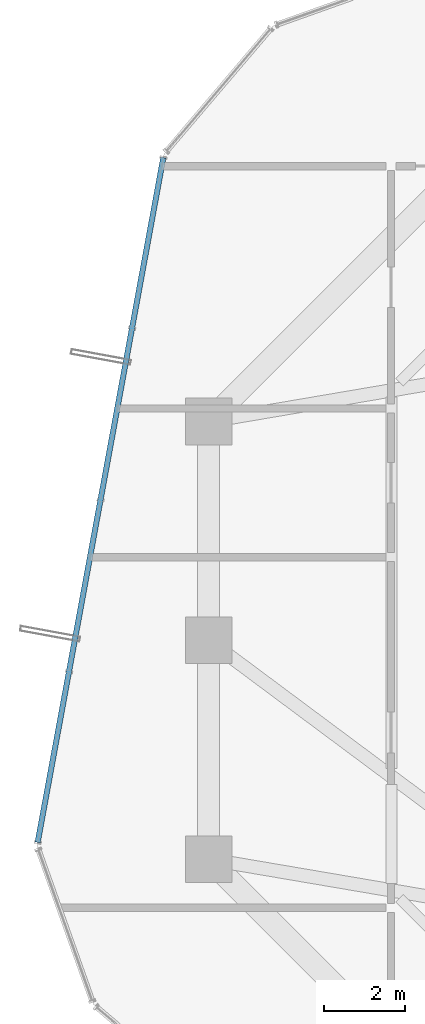
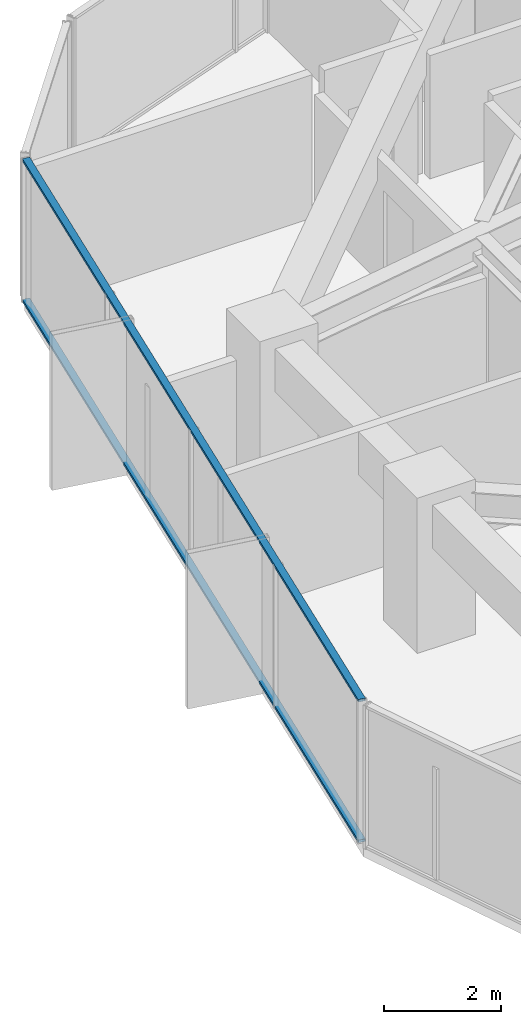
# One storey, part 14 of 33: 2 members, 1 element without a shape of its own.
"""IFC4 building model written with IfcOpenShell, lengths in metres."""

from ifc_helpers import new_model, si_unit, direction, frame, origin, origin_2d, place, context, subcontext, project, spatial, hollow_rectangle, extrude, source, transform, mapped, material, layer, layer_set, material_profile, profile_set, type_object, element, aggregate, save


model = new_model("IFC4")

# Units and contexts
model_context = context("Model", 3, precision=1e-05, world=origin(), true_north=direction((0.0, 1.0)))
body_context = subcontext(model_context, "Body", "Model", "MODEL_VIEW")
ifc_project = project(units=[si_unit("LENGTHUNIT", "METRE"), si_unit("AREAUNIT", "SQUARE_METRE"), si_unit("VOLUMEUNIT", "CUBIC_METRE"), si_unit("PLANEANGLEUNIT", "RADIAN"), si_unit("MASSUNIT", "GRAM", prefix="KILO")], contexts=[model_context])

# Site, building, storey
site_placement = place(None, origin())
site = spatial("IfcSite", under=ifc_project, at=site_placement, CompositionType="ELEMENT")
building_placement = place(site_placement, origin())
building = spatial("IfcBuilding", under=site, at=building_placement, Name="Veraguas Prism Commons", CompositionType="ELEMENT")
storey_placement = place(building_placement, frame((0.0, 0.0, 92.699951171875)))
storey = spatial("IfcBuildingStorey", under=building, at=storey_placement, Name="L25", CompositionType="ELEMENT", Elevation=92.699951171875)

# Curtain wall, members
ifc_material = material(Name="Anodised aluminium EN AW-6063 T6", Category="aluminium")
ifc_layer = layer(ifc_material, 0.169921875, Name="Unitised Flush Curtain Wall Zone 2", Category="aluminium")
ifc_layer_set = layer_set([ifc_layer], Name="Anodised aluminium EN AW-6063 T6")
curtain_wall_type = type_object("IfcCurtainWallType", Name="Unitised Flush Curtain Wall Zone 2", PredefinedType="NOTDEFINED", material=ifc_layer_set)
curtain_wall_placement = place(storey_placement, origin())
curtain_wall = element("IfcCurtainWall", 1, at=curtain_wall_placement, inside=storey, type_object=curtain_wall_type, Name="Tower Facade Curtain Wall L25-F3", PredefinedType="NOTDEFINED")
ifc_material_profile = material_profile(ifc_material, hollow_rectangle(XDim=0.054931640625, YDim=0.135009765625, WallThickness=0.0029296875, at=origin_2d()), Name="AL55X135X3")
ifc_profile_set = profile_set([ifc_material_profile], Name="Anodised aluminium EN AW-6063 T6")
member_type = type_object("IfcMemberType", Name="Curtain Wall Transom Standard AL 55x135x3", PredefinedType="USERDEFINED", material=ifc_profile_set)
shared_shape = source(origin(), body_context, "Body", "SweptSolid", [
    extrude(hollow_rectangle(XDim=0.054931640625, YDim=0.135009765625, WallThickness=0.0029296875, at=origin_2d()), origin(), (0.0, 0.0, 1.0), 17.174560546875),
])
member_1_placement = place(storey_placement, frame((6.682861328125, 35.908935546875, 0.027587890625), z_axis=(-0.180520178906, -0.983571281101, 0.0), x_axis=(0.0, 0.0, 1.0)))
member_1 = element("IfcMember", 2, at=member_1_placement, type_object=member_type, Name="CW-Z2 Transom 1", ObjectType="TRANSOM", PredefinedType="USERDEFINED", context=body_context, shape_type="MappedRepresentation", body=[
    mapped(shared_shape, transform((0.0, 0.0, 0.0), scale=1.0)),
])
member_2_placement = place(storey_placement, frame((6.682861328125, 35.908935546875, 2.97265625), z_axis=(-0.180520178906, -0.983571281101, 0.0), x_axis=(0.0, 0.0, 1.0)))
member_2 = element("IfcMember", 3, at=member_2_placement, type_object=member_type, Name="CW-Z2 Transom 2", ObjectType="TRANSOM", PredefinedType="USERDEFINED", context=body_context, shape_type="MappedRepresentation", body=[
    mapped(shared_shape, transform((0.0, 0.0, 0.0), scale=1.0)),
])
aggregate(curtain_wall, [member_1, member_2])

save(model, "model.ifc")
